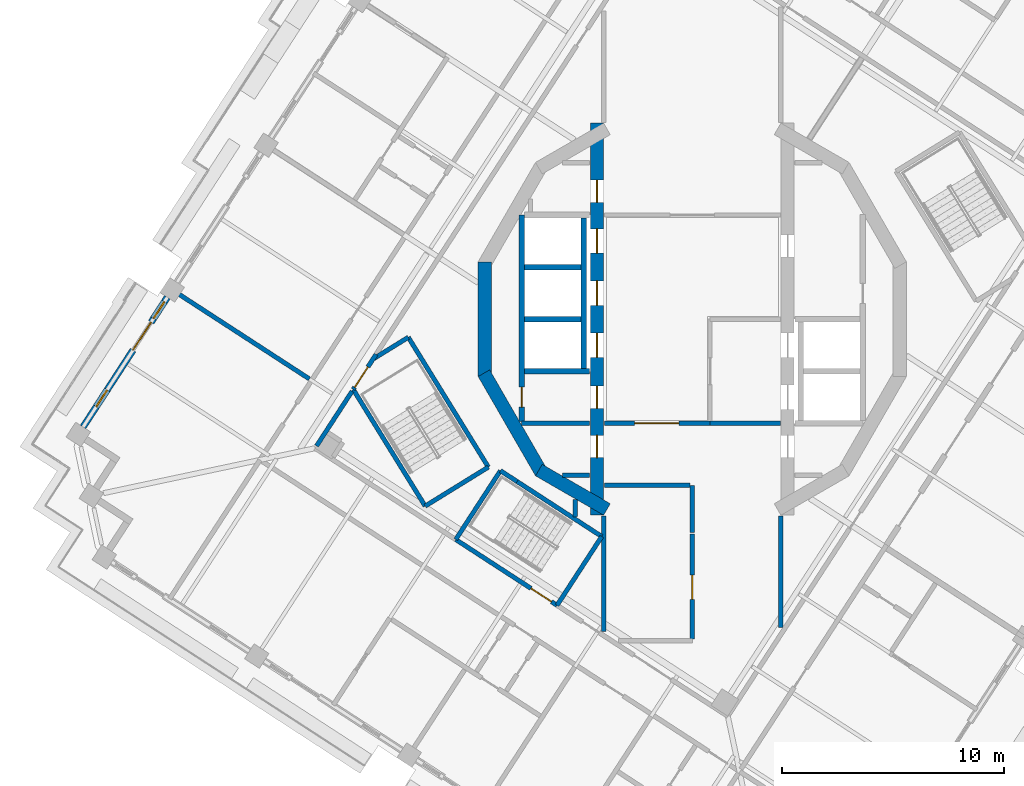
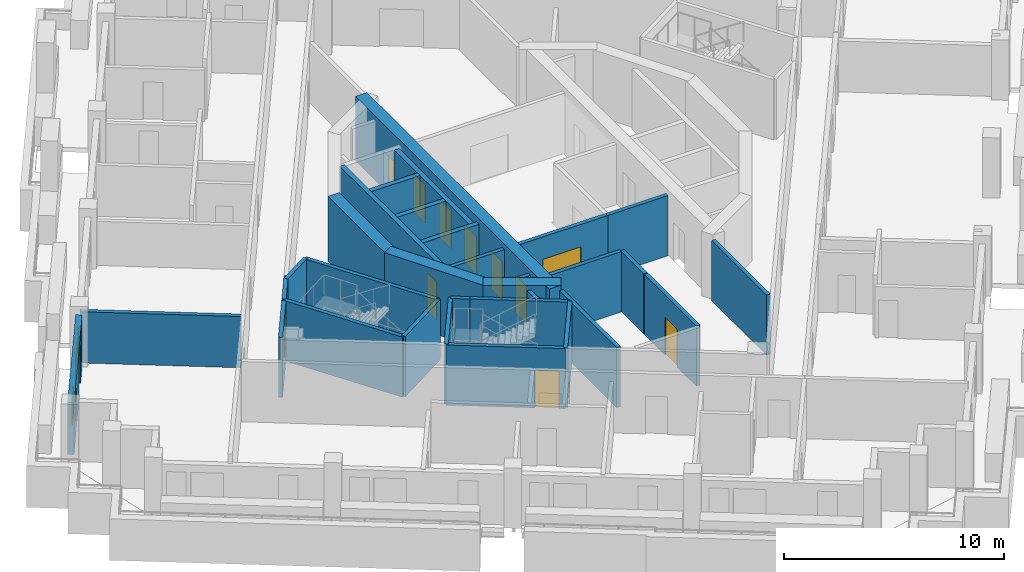
# One storey, part 5 of 15: 32 walls, 12 doors, 2 windows, 14 openings.
"""IFC4 building model written with IfcOpenShell, lengths in metres."""

import ifcopenshell
import ifcopenshell.guid

model = None  # the IFC model being written
_history = None  # IfcOwnerHistory: only IFC2X3 demands one
_inside = {}  # id of a spatial element -> (the spatial element, [elements in it])
_under = {}  # id of a project, library or spatial element -> (it, [spatial elements below it])
_declared = {}  # id of a project -> (the project, [libraries it declares])
_typed = {}  # id of a type object -> (the type object, [elements of that type])
_made_of = {}  # id of a material, layer set ... -> (it, [elements and type objects made of it])


def new_model(schema):
    """Start an empty IFC model of exactly this schema.

    Asked for "IFC4X3", IfcOpenShell would pick the latest addendum, in which some entities
    have other attributes; the version numbers below select the first issue.
    IFC2X3 requires an IfcOwnerHistory on every rooted entity: one is made here for all.
    """
    global model, _history
    if schema == "IFC4X3":
        model = ifcopenshell.file(schema_version=(4, 3, 0, 0))
    else:
        model = ifcopenshell.file(schema=schema)
    _inside.clear()
    _under.clear()
    _declared.clear()
    _typed.clear()
    _made_of.clear()
    _history = None
    if model.schema == "IFC2X3":
        org = make("IfcOrganization", Name="unknown")
        user = make(
            "IfcPersonAndOrganization",
            ThePerson=make("IfcPerson", FamilyName="unknown"),
            TheOrganization=org,
        )
        app = make(
            "IfcApplication",
            ApplicationDeveloper=org,
            Version="unknown",
            ApplicationFullName="unknown",
            ApplicationIdentifier="unknown",
        )
        _history = make(
            "IfcOwnerHistory",
            OwningUser=user,
            OwningApplication=app,
            ChangeAction="ADDED",
            CreationDate=0,
        )
    return model


def make(cls, **values):
    """One entity of the class cls with the attributes given. An attribute that is None is left unset."""
    return model.create_entity(
        cls, **{name: value for name, value in values.items() if value is not None}
    )


def rooted(cls, **values):
    """An entity with a GlobalId (a new one), such as an element, a storey or a relation."""
    return make(cls, GlobalId=ifcopenshell.guid.new(), OwnerHistory=_history, **values)


def si_unit(unit_type, name, prefix=None):
    """IfcSIUnit, for example si_unit("LENGTHUNIT", "METRE", prefix="MILLI")."""
    return make("IfcSIUnit", UnitType=unit_type, Prefix=prefix, Name=name)


def assignment(units):
    """IfcUnitAssignment: the units of a project."""
    return None if units is None else make("IfcUnitAssignment", Units=units)


def point(xyz):
    """IfcCartesianPoint."""
    return None if xyz is None else make("IfcCartesianPoint", Coordinates=xyz)


def direction(xyz):
    """IfcDirection."""
    return None if xyz is None else make("IfcDirection", DirectionRatios=xyz)


def frame(location, z_axis=None, x_axis=None):
    """IfcAxis2Placement3D, a coordinate frame: its origin and axes. An axis left out is left unset."""
    return make(
        "IfcAxis2Placement3D",
        Location=point(location),
        Axis=direction(z_axis),
        RefDirection=direction(x_axis),
    )


def frame_2d(location, x_axis=None):
    """IfcAxis2Placement2D, a coordinate frame in the plane: its origin and x axis."""
    return make(
        "IfcAxis2Placement2D", Location=point(location), RefDirection=direction(x_axis)
    )


def origin():
    """The frame at (0, 0, 0) with its axes left unset."""
    return frame((0.0, 0.0, 0.0))


def place(relative_to, where):
    """IfcLocalPlacement: puts the frame where relative to a parent placement (None: the world)."""
    return make(
        "IfcLocalPlacement", PlacementRelTo=relative_to, RelativePlacement=where
    )


def context(
    kind, dimensions, precision=None, world=None, true_north=None, identifier=None
):
    """IfcGeometricRepresentationContext, for example the 3D "Model" context."""
    return make(
        "IfcGeometricRepresentationContext",
        ContextIdentifier=identifier,
        ContextType=kind,
        CoordinateSpaceDimension=dimensions,
        Precision=precision,
        WorldCoordinateSystem=world,
        TrueNorth=true_north,
    )


def subcontext(parent, identifier, kind, view, scale=None):
    """IfcGeometricRepresentationSubContext, for example "Body" below "Model"."""
    return make(
        "IfcGeometricRepresentationSubContext",
        ContextIdentifier=identifier,
        ContextType=kind,
        ParentContext=parent,
        TargetScale=scale,
        TargetView=view,
    )


def project(units=None, contexts=None):
    """IfcProject with its units and contexts."""
    return rooted(
        "IfcProject",
        Name="project",
        RepresentationContexts=contexts,
        UnitsInContext=assignment(units),
    )


def spatial(cls, under=None, at=None, **own):
    """A site, building, storey or space (cls), placed at a placement, below another one or the project."""
    s = rooted(cls, ObjectPlacement=at, **own)
    if under is not None:
        _under.setdefault(under.id(), (under, []))[1].append(s)
    return s


def profile(cls, at=None, kind="AREA", **sizes):
    """A parametric profile (cls). Its sizes go by their IFC names, for example OverallWidth=200.0."""
    return make(cls, ProfileType=kind, Position=at, **sizes)


def rectangle(**sizes):
    """IfcRectangleProfileDef."""
    return profile("IfcRectangleProfileDef", **sizes)


def extrude(swept, where, along, depth):
    """IfcExtrudedAreaSolid: the profile swept, set in the frame where, extruded along a direction by depth."""
    return make(
        "IfcExtrudedAreaSolid",
        SweptArea=swept,
        Position=where,
        ExtrudedDirection=direction(along),
        Depth=depth,
    )


def shape(context_of_items, identifier, shape_type, items):
    """IfcShapeRepresentation: the items that make up one representation, for example the "Body"."""
    return make(
        "IfcShapeRepresentation",
        ContextOfItems=context_of_items,
        RepresentationIdentifier=identifier,
        RepresentationType=shape_type,
        Items=items,
    )


def material(Name=None, Category=None):
    """IfcMaterial."""
    return make("IfcMaterial", Name=Name, Category=Category)


def layer(
    of_material, thickness, ventilated=None, Name=None, Category=None, Priority=None
):
    """IfcMaterialLayer: one layer of a wall or slab, of a material (None: an air gap)."""
    return make(
        "IfcMaterialLayer",
        Material=of_material,
        LayerThickness=thickness,
        IsVentilated=ventilated,
        Name=Name,
        Category=Category,
        Priority=Priority,
    )


def layer_set(layers, Name=None):
    """IfcMaterialLayerSet."""
    return make("IfcMaterialLayerSet", MaterialLayers=layers, LayerSetName=Name)


def made_of(thing, what):
    """Note that an element or type object is made of a material, layer set ...; save() writes the relation."""
    if what is not None:
        _made_of.setdefault(what.id(), (what, []))[1].append(thing)
    return thing


def type_object(cls, material=None, **own):
    """A type object (cls), such as IfcWallType, which elements share."""
    return made_of(rooted(cls, **own), material)


def element(
    cls,
    number,
    at=None,
    inside=None,
    cuts=None,
    type_object=None,
    material=None,
    context=None,
    identifier="Body",
    shape_type=None,
    held_by="IfcProductDefinitionShape",
    body=None,
    shapes=None,
    **own,
):
    """One element of the class cls, such as IfcWall. Its Tag is "e" and its number.

    at: its placement. inside: the storey or other place that contains it. cuts: it is an
    opening in that element (IfcRelVoidsElement). A single representation is given by context,
    identifier, shape_type and body (its items); several are given by shapes. held_by: the class
    of the entity that holds the representations. save() writes the other relations.
    """
    e = rooted(cls, Tag="e%d" % number, ObjectPlacement=at, **own)
    if body is not None:
        shapes = [shape(context, identifier, shape_type, body)]
    if shapes is not None:
        e.Representation = make(held_by, Representations=shapes)
    if inside is not None:
        _inside.setdefault(inside.id(), (inside, []))[1].append(e)
    if cuts is not None:
        rooted(
            "IfcRelVoidsElement", RelatingBuildingElement=cuts, RelatedOpeningElement=e
        )
    if type_object is not None:
        _typed.setdefault(type_object.id(), (type_object, []))[1].append(e)
    return made_of(e, material)


def fill(opening, filler):
    """IfcRelFillsElement: the door or window that sits in an opening."""
    return rooted(
        "IfcRelFillsElement",
        RelatingOpeningElement=opening,
        RelatedBuildingElement=filler,
    )


def aggregate(whole, parts):
    """IfcRelAggregates: a whole, such as a stair, and the parts it consists of."""
    return rooted("IfcRelAggregates", RelatingObject=whole, RelatedObjects=parts)


def save(model, path):
    """Write the relations noted so far, then the file.

    IfcRelAggregates (storeys below a building ...), IfcRelContainedInSpatialStructure (elements
    in a storey), IfcRelDefinesByType, IfcRelAssociatesMaterial and IfcRelDeclares: one each for
    every whole, place, type object, material and project.
    """
    for whole, parts in _under.values():
        aggregate(whole, parts)
    for where, things in _inside.values():
        rooted(
            "IfcRelContainedInSpatialStructure",
            RelatedElements=things,
            RelatingStructure=where,
        )
    for kind, things in _typed.values():
        rooted("IfcRelDefinesByType", RelatedObjects=things, RelatingType=kind)
    for what, things in _made_of.values():
        rooted("IfcRelAssociatesMaterial", RelatedObjects=things, RelatingMaterial=what)
    for by, libraries in _declared.values():
        rooted("IfcRelDeclares", RelatingContext=by, RelatedDefinitions=libraries)
    model.write(path)


model = new_model("IFC4")

# Units and contexts
model_context = context("Model", 3, precision=1e-05, world=origin(), true_north=direction((0.0, 1.0)))
body_context = subcontext(model_context, "Body", "Model", "MODEL_VIEW")
ifc_project = project(units=[si_unit("LENGTHUNIT", "METRE"), si_unit("AREAUNIT", "SQUARE_METRE"), si_unit("VOLUMEUNIT", "CUBIC_METRE"), si_unit("PLANEANGLEUNIT", "RADIAN"), si_unit("MASSUNIT", "GRAM", prefix="KILO")], contexts=[model_context])

# Site, building, storey
site_placement = place(None, origin())
site = spatial("IfcSite", under=ifc_project, at=site_placement, CompositionType="ELEMENT")
building_placement = place(site_placement, origin())
building = spatial("IfcBuilding", under=site, at=building_placement, Name="Cantera Rosa Tower", CompositionType="ELEMENT")
storey_placement = place(building_placement, frame((0.0, 0.0, 261.300048828125)))
storey = spatial("IfcBuildingStorey", under=building, at=storey_placement, Name="L58", CompositionType="ELEMENT", Elevation=261.300048828125)

# Wall
ifc_material_1 = material(Name="Gypsum board partition")
ifc_layer_1 = layer(ifc_material_1, 0.199951171875)
ifc_layer_set_1 = layer_set([ifc_layer_1], Name="CORRIDOR WALL 200 H3350")
wall_type_1 = type_object("IfcWallType", Name="CORRIDOR WALL 200 H3350", PredefinedType="PARTITIONING", material=ifc_layer_set_1)
wall_1_placement = place(storey_placement, frame((-15.349853515625, -3.256103515625, 0.0), z_axis=(0.0, 0.0, 1.0), x_axis=(-0.544576607641, -0.838711105453, 0.0)))
element("IfcWall", 1, at=wall_1_placement, inside=storey, type_object=wall_type_1, Name="CORRIDOR WALL L58-009", PredefinedType="PARTITIONING", context=body_context, shape_type="SweptSolid", body=[
    extrude(rectangle(XDim=2.939208984375, YDim=0.199951171875, at=frame_2d((1.4697265625, 0.0))), origin(), (0.0, 0.0, 1.0), 3.349853515625),
])

# Wall, opening, door
wall_2_placement = place(storey_placement, frame((0.0, -14.419921875, 0.0), z_axis=(0.0, 0.0, 1.0), x_axis=(0.0, 1.0, 0.0)))
wall_2 = element("IfcWall", 2, at=wall_2_placement, inside=storey, type_object=wall_type_1, Name="CORRIDOR WALL L58-057", PredefinedType="PARTITIONING", context=body_context, shape_type="SweptSolid", body=[
    extrude(rectangle(XDim=4.730712890625, YDim=0.199951171875, at=frame_2d((2.365234375, 0.0))), origin(), (0.0, 0.0, 1.0), 3.349853515625),
])
opening_1_placement = place(wall_2_placement, frame((1.775390625, 0.0, 0.0)))
opening_1 = element("IfcOpeningElement", 3, at=opening_1_placement, cuts=wall_2, Name="Opening L58-013", PredefinedType="OPENING", context=body_context, shape_type="SweptSolid", body=[
    extrude(rectangle(XDim=1.10009765625, YDim=2.10009765625, at=frame_2d((0.550048828125, 1.050048828125))), frame((0.0, 0.10986328125, 0.0), z_axis=(0.0, -1.0, 0.0), x_axis=(1.0, 0.0, 0.0)), (0.0, 0.0, 1.0), 0.219970703125),
])
ifc_material_2 = material(Name="Timber door leaf", Category="wood")
door_type_1 = type_object("IfcDoorType", Name="ROOM DOOR 1100x2100", OperationType="NOTDEFINED", PredefinedType="DOOR", material=ifc_material_2)
door_1_placement = place(opening_1_placement, origin())
door_1 = element("IfcDoor", 4, at=door_1_placement, inside=storey, type_object=door_type_1, Name="DOOR L58-013", OperationType="NOTDEFINED", OverallHeight=2.10009765625, OverallWidth=1.10009765625, PredefinedType="DOOR", context=body_context, shape_type="SweptSolid", body=[
    extrude(rectangle(XDim=1.10009765625, YDim=2.10009765625, at=frame_2d((0.550048828125, 1.050048828125))), frame((0.0, 0.02490234375, 0.0), z_axis=(0.0, -1.0, 0.0), x_axis=(1.0, 0.0, 0.0)), (0.0, 0.0, 1.0), 0.050048828125),
])
fill(opening_1, door_1)

# Walls
wall_3_placement = place(storey_placement, frame((0.0, -9.62939453125, 0.0), z_axis=(0.0, 0.0, 1.0), x_axis=(0.0, 1.0, 0.0)))
element("IfcWall", 5, at=wall_3_placement, inside=storey, type_object=wall_type_1, Name="CORRIDOR WALL L58-058", PredefinedType="PARTITIONING", context=body_context, shape_type="SweptSolid", body=[
    extrude(rectangle(XDim=2.12939453125, YDim=0.199951171875, at=frame_2d((1.064697265625, 0.0))), origin(), (0.0, 0.0, 1.0), 3.349853515625),
])
wall_4_placement = place(storey_placement, frame((-0.10009765625, -7.5, 0.0), z_axis=(0.0, 0.0, 1.0), x_axis=(-1.0, 0.0, 0.0)))
element("IfcWall", 6, at=wall_4_placement, inside=storey, type_object=wall_type_1, Name="CORRIDOR WALL L58-059", PredefinedType="PARTITIONING", context=body_context, shape_type="SweptSolid", body=[
    extrude(rectangle(XDim=3.869873046875, YDim=0.199951171875, at=frame_2d((1.93505859375, 0.0))), origin(), (0.0, 0.0, 1.0), 3.349853515625),
])

# Wall, opening, door
wall_5_placement = place(storey_placement, frame((0.800048828125, -4.699951171875, 0.0), z_axis=(0.0, 0.0, 1.0), x_axis=(-1.0, 0.0, 0.0)))
wall_5 = element("IfcWall", 7, at=wall_5_placement, inside=storey, type_object=wall_type_1, Name="CORRIDOR WALL L58-061", PredefinedType="PARTITIONING", context=body_context, shape_type="SweptSolid", body=[
    extrude(rectangle(XDim=4.77001953125, YDim=0.199951171875, at=frame_2d((2.385009765625, 0.0))), origin(), (0.0, 0.0, 1.0), 3.349853515625),
])
opening_2_placement = place(wall_5_placement, frame((1.39990234375, 0.0, 0.0)))
opening_2 = element("IfcOpeningElement", 8, at=opening_2_placement, cuts=wall_5, Name="Opening L58-011", PredefinedType="OPENING", context=body_context, shape_type="SweptSolid", body=[
    extrude(rectangle(XDim=2.0, YDim=2.10009765625, at=frame_2d((1.0, 1.050048828125))), frame((0.0, 0.10986328125, 0.0), z_axis=(0.0, -1.0, 0.0), x_axis=(1.0, 0.0, 0.0)), (0.0, 0.0, 1.0), 0.219970703125),
])
ifc_material_3 = material(Name="Steel S355J2 (EN 10025-2)", Category="steel")
door_type_2 = type_object("IfcDoorType", Name="LOBBY SCREEN DOOR 2000x2100", OperationType="NOTDEFINED", PredefinedType="DOOR", material=ifc_material_3)
door_2_placement = place(opening_2_placement, origin())
door_2 = element("IfcDoor", 9, at=door_2_placement, inside=storey, type_object=door_type_2, Name="DOOR L58-011", OperationType="NOTDEFINED", OverallHeight=2.10009765625, OverallWidth=2.0, PredefinedType="DOOR", context=body_context, shape_type="SweptSolid", body=[
    extrude(rectangle(XDim=2.0, YDim=2.10009765625, at=frame_2d((1.0, 1.050048828125))), frame((0.0, 0.02490234375, 0.0), z_axis=(0.0, -1.0, 0.0), x_axis=(1.0, 0.0, 0.0)), (0.0, 0.0, 1.0), 0.050048828125),
])
fill(opening_2, door_2)

# Wall
wall_6_placement = place(storey_placement, frame((4.0, -13.90087890625, 0.0), z_axis=(0.0, 0.0, 1.0), x_axis=(0.0, 1.0, 0.0)))
element("IfcWall", 10, at=wall_6_placement, inside=storey, type_object=wall_type_1, Name="CORRIDOR WALL L58-068", PredefinedType="PARTITIONING", context=body_context, shape_type="SweptSolid", body=[
    extrude(rectangle(XDim=5.02197265625, YDim=0.199951171875, at=frame_2d((2.510986328125, 0.0))), origin(), (0.0, 0.0, 1.0), 3.349853515625),
])

# Wall, openings, windows, door
ifc_material_4 = material(Name="Hollow clay masonry with cantera stone cladding", Category="masonry")
ifc_layer_2 = layer(ifc_material_4, 0.300048828125)
ifc_layer_set_2 = layer_set([ifc_layer_2], Name="EW-LOGGIA 300 H2890")
wall_type_2 = type_object("IfcWallType", Name="EW-LOGGIA 300 H2890", PredefinedType="SOLIDWALL", material=ifc_layer_set_2)
wall_7_placement = place(storey_placement, frame((-23.6826171875, 0.98779296875, 0.0), z_axis=(0.0, 0.0, 1.0), x_axis=(-0.544667428764, -0.838652128146, 0.0)))
wall_7 = element("IfcWall", 11, at=wall_7_placement, inside=storey, type_object=wall_type_2, Name="EN-L58-W11", PredefinedType="SOLIDWALL", context=body_context, shape_type="SweptSolid", body=[
    extrude(rectangle(XDim=6.97998046875, YDim=0.300048828125, at=frame_2d((3.489990234375, 0.0))), origin(), (0.0, 0.0, 1.0), 2.889892578125),
])
opening_3_placement = place(wall_7_placement, frame((0.2451171875, 0.0, 0.89990234375)))
opening_3 = element("IfcOpeningElement", 12, at=opening_3_placement, cuts=wall_7, Name="Opening L58-W25", PredefinedType="OPENING", context=body_context, shape_type="SweptSolid", body=[
    extrude(rectangle(XDim=0.89990234375, YDim=1.5, at=frame_2d((0.449951171875, 0.75))), frame((0.0, 0.159912109375, 0.0), z_axis=(0.0, -1.0, 0.0), x_axis=(1.0, 0.0, 0.0)), (0.0, 0.0, 1.0), 0.320068359375),
])
opening_4_placement = place(wall_7_placement, frame((1.344970703125, 0.0, 0.0)))
opening_4 = element("IfcOpeningElement", 13, at=opening_4_placement, cuts=wall_7, Name="Opening L58-TD26", PredefinedType="OPENING", context=body_context, shape_type="SweptSolid", body=[
    extrude(rectangle(XDim=1.5, YDim=2.39990234375, at=frame_2d((0.75, 1.199951171875))), frame((0.0, 0.159912109375, 0.0), z_axis=(0.0, -1.0, 0.0), x_axis=(1.0, 0.0, 0.0)), (0.0, 0.0, 1.0), 0.320068359375),
])
opening_5_placement = place(wall_7_placement, frame((4.985107421875, 0.0, 0.89990234375)))
opening_5 = element("IfcOpeningElement", 14, at=opening_5_placement, cuts=wall_7, Name="Opening L58-W27", PredefinedType="OPENING", context=body_context, shape_type="SweptSolid", body=[
    extrude(rectangle(XDim=0.89990234375, YDim=1.5, at=frame_2d((0.449951171875, 0.75))), frame((0.0, 0.159912109375, 0.0), z_axis=(0.0, -1.0, 0.0), x_axis=(1.0, 0.0, 0.0)), (0.0, 0.0, 1.0), 0.320068359375),
])
ifc_material_5 = material(Name="Aluminium frame with clear glass", Category="aluminium")
window_type = type_object("IfcWindowType", Name="Residential window 900x1500", PartitioningType="SINGLE_PANEL", PredefinedType="WINDOW", material=ifc_material_5)
window_1_placement = place(opening_3_placement, origin())
window_1 = element("IfcWindow", 15, at=window_1_placement, inside=storey, type_object=window_type, Name="WINDOW L58-W25", OverallHeight=1.5, OverallWidth=0.89990234375, PartitioningType="SINGLE_PANEL", PredefinedType="WINDOW", context=body_context, shape_type="SweptSolid", body=[
    extrude(rectangle(XDim=0.89990234375, YDim=1.5, at=frame_2d((0.449951171875, 0.75))), frame((0.0, 0.030029296875, 0.0), z_axis=(0.0, -1.0, 0.0), x_axis=(1.0, 0.0, 0.0)), (0.0, 0.0, 1.0), 0.06005859375),
])
fill(opening_3, window_1)
window_2_placement = place(opening_5_placement, origin())
window_2 = element("IfcWindow", 16, at=window_2_placement, inside=storey, type_object=window_type, Name="WINDOW L58-W27", OverallHeight=1.5, OverallWidth=0.89990234375, PartitioningType="SINGLE_PANEL", PredefinedType="WINDOW", context=body_context, shape_type="SweptSolid", body=[
    extrude(rectangle(XDim=0.89990234375, YDim=1.5, at=frame_2d((0.449951171875, 0.75))), frame((0.0, 0.030029296875, 0.0), z_axis=(0.0, -1.0, 0.0), x_axis=(1.0, 0.0, 0.0)), (0.0, 0.0, 1.0), 0.06005859375),
])
fill(opening_5, window_2)
ifc_material_6 = material(Name="Aluminium frame with clear glass", Category="aluminium")
door_type_3 = type_object("IfcDoorType", Name="TD-R 1500x2400", OperationType="NOTDEFINED", PredefinedType="DOOR", material=ifc_material_6)
door_3_placement = place(opening_4_placement, origin())
door_3 = element("IfcDoor", 17, at=door_3_placement, inside=storey, type_object=door_type_3, Name="LOGGIA DOOR L58-TD26", OperationType="SLIDING_TO_LEFT", OverallHeight=2.39990234375, OverallWidth=1.5, PredefinedType="DOOR", context=body_context, shape_type="SweptSolid", body=[
    extrude(rectangle(XDim=1.5, YDim=2.39990234375, at=frame_2d((0.75, 1.199951171875))), frame((0.0, 0.02490234375, 0.0), z_axis=(0.0, -1.0, 0.0), x_axis=(1.0, 0.0, 0.0)), (0.0, 0.0, 1.0), 0.050048828125),
])
fill(opening_4, door_3)

# Walls
ifc_material_7 = material(Name="Gypsum board partition")
ifc_layer_3 = layer(ifc_material_7, 0.199951171875)
ifc_layer_set_3 = layer_set([ifc_layer_3], Name="PARTITION 200 H2850")
wall_type_3 = type_object("IfcWallType", Name="PARTITION 200 H2850", PredefinedType="PARTITIONING", material=ifc_layer_set_3)
wall_8_placement = place(storey_placement, frame((-17.275390625, -2.696044921875, 0.0), z_axis=(0.0, 0.0, 1.0), x_axis=(-0.838684106336, 0.544618187155, 0.0)))
element("IfcWall", 18, at=wall_8_placement, inside=storey, type_object=wall_type_3, Name="PARTITION L58-003", PredefinedType="PARTITIONING", context=body_context, shape_type="SweptSolid", body=[
    extrude(rectangle(XDim=7.349853515625, YDim=0.199951171875, at=frame_2d((3.6748046875, 0.0))), origin(), (0.0, 0.0, 1.0), 2.849853515625),
])
ifc_material_8 = material(Name="Gypsum board partition")
ifc_layer_4 = layer(ifc_material_8, 0.199951171875)
ifc_layer_set_4 = layer_set([ifc_layer_4], Name="PARTITION 200 H3350")
wall_type_4 = type_object("IfcWallType", Name="PARTITION 200 H3350", PredefinedType="PARTITIONING", material=ifc_layer_set_4)
wall_9_placement = place(storey_placement, frame((-7.699951171875, -4.699951171875, 0.0), z_axis=(0.0, 0.0, 1.0), x_axis=(1.0, 0.0, 0.0)))
element("IfcWall", 19, at=wall_9_placement, inside=storey, type_object=wall_type_4, Name="PARTITION L58-030", PredefinedType="PARTITIONING", context=body_context, shape_type="SweptSolid", body=[
    extrude(rectangle(XDim=3.070068359375, YDim=0.199951171875, at=frame_2d((1.53515625, 0.0))), origin(), (0.0, 0.0, 1.0), 3.349853515625),
])
wall_10_placement = place(storey_placement, frame((-5.284423828125, -8.13720703125, 0.0), z_axis=(0.0, 0.0, 1.0), x_axis=(0.017568671761, -0.999845658976, 0.0)))
element("IfcWall", 20, at=wall_10_placement, inside=storey, type_object=wall_type_4, Name="PARTITION L58-041", PredefinedType="PARTITIONING", context=body_context, shape_type="SweptSolid", body=[
    extrude(rectangle(XDim=0.778076171875, YDim=0.199951171875, at=frame_2d((0.38916015625, 0.0))), origin(), (0.0, 0.0, 1.0), 3.349853515625),
])
wall_11_placement = place(storey_placement, frame((-4.6298828125, -7.050048828125, 0.0), z_axis=(0.0, 0.0, 1.0), x_axis=(-1.0, 0.0, 0.0)))
element("IfcWall", 21, at=wall_11_placement, inside=storey, type_object=wall_type_4, Name="PARTITION L58-044", PredefinedType="PARTITIONING", context=body_context, shape_type="SweptSolid", body=[
    extrude(rectangle(XDim=1.2177734375, YDim=0.199951171875, at=frame_2d((0.60888671875, 0.0))), origin(), (0.0, 0.0, 1.0), 3.349853515625),
])
wall_12_placement = place(storey_placement, frame((-4.0, -14.09423828125, 0.0), z_axis=(0.0, 0.0, 1.0), x_axis=(0.0, 1.0, 0.0)))
element("IfcWall", 22, at=wall_12_placement, inside=storey, type_object=wall_type_4, Name="PARTITION L58-046", PredefinedType="PARTITIONING", context=body_context, shape_type="SweptSolid", body=[
    extrude(rectangle(XDim=5.21533203125, YDim=0.199951171875, at=frame_2d((2.607666015625, 0.0))), origin(), (0.0, 0.0, 1.0), 3.349853515625),
])
ifc_material_9 = material(Name="Concrete C50/60", Category="concrete")
ifc_layer_5 = layer(ifc_material_9, 0.60009765625)
ifc_layer_set_5 = layer_set([ifc_layer_5], Name="RC CORE WALL 600 C50/60")
wall_type_5 = type_object("IfcWallType", Name="RC CORE WALL 600 C50/60", PredefinedType="SHEAR", material=ifc_layer_set_5)
wall_13_placement = place(storey_placement, frame((-3.85009765625, -8.584228515625, 0.0), z_axis=(0.0, 0.0, 1.0), x_axis=(-0.866039982607, 0.499974747889, 0.0)))
element("IfcWall", 23, at=wall_13_placement, inside=storey, type_object=wall_type_5, Name="CW-W1 L58", PredefinedType="SHEAR", context=body_context, shape_type="SweptSolid", body=[
    extrude(rectangle(XDim=3.546142578125, YDim=0.60009765625, at=frame_2d((1.77294921875, 0.0))), origin(), (0.0, 0.0, 1.0), 3.599853515625),
])
for number, where, z_axis, x_axis, name in (
    (24, (-6.811279296875, -6.921142578125, 0.0), (0.0, 0.0, 1.0), (-0.499989188378, 0.866031645787, 0.0), "CW-W2 L58"),
    (25, (-9.359375, -2.588134765625, 0.0), (0.0, 0.0, 1.0), (0.0, 1.0, 0.0), "CW-W3 L58"),
):
    element("IfcWall", number, at=place(storey_placement, frame(where, z_axis=z_axis, x_axis=x_axis)), inside=storey, type_object=wall_type_5, Name=name, PredefinedType="SHEAR", context=body_context, shape_type="SweptSolid", body=[
        extrude(rectangle(XDim=5.17626953125, YDim=0.60009765625, at=frame_2d((2.588134765625, 0.0))), origin(), (0.0, 0.0, 1.0), 3.599853515625),
    ])

# Wall, openings, doors
wall_14_placement = place(storey_placement, frame((-4.300048828125, 8.84423828125, 0.0), z_axis=(0.0, 0.0, 1.0), x_axis=(0.0, -1.0, 0.0)))
wall_14 = element("IfcWall", 26, at=wall_14_placement, inside=storey, type_object=wall_type_5, Name="CW-W6 L58", PredefinedType="SHEAR", context=body_context, shape_type="SweptSolid", body=[
    extrude(rectangle(XDim=17.6884765625, YDim=0.60009765625, at=frame_2d((8.84423828125, 0.0))), origin(), (0.0, 0.0, 1.0), 3.599853515625),
])
opening_6_placement = place(wall_14_placement, frame((9.468994140625, 0.0, 0.0)))
opening_6 = element("IfcOpeningElement", 27, at=opening_6_placement, cuts=wall_14, Name="Opening LD-H1-L58", PredefinedType="OPENING", context=body_context, shape_type="SweptSolid", body=[
    extrude(rectangle(XDim=1.10009765625, YDim=2.10009765625, at=frame_2d((0.550048828125, 1.050048828125))), frame((0.0, 0.31005859375, 0.0), z_axis=(0.0, -1.0, 0.0), x_axis=(1.0, 0.0, 0.0)), (0.0, 0.0, 1.0), 0.6201171875),
])
opening_7_placement = place(wall_14_placement, frame((7.119140625, 0.0, 0.0)))
opening_7 = element("IfcOpeningElement", 28, at=opening_7_placement, cuts=wall_14, Name="Opening LD-H2-L58", PredefinedType="OPENING", context=body_context, shape_type="SweptSolid", body=[
    extrude(rectangle(XDim=1.10009765625, YDim=2.10009765625, at=frame_2d((0.550048828125, 1.050048828125))), frame((0.0, 0.31005859375, 0.0), z_axis=(0.0, -1.0, 0.0), x_axis=(1.0, 0.0, 0.0)), (0.0, 0.0, 1.0), 0.6201171875),
])
opening_8_placement = place(wall_14_placement, frame((4.76904296875, 0.0, 0.0)))
opening_8 = element("IfcOpeningElement", 29, at=opening_8_placement, cuts=wall_14, Name="Opening LD-H3-L58", PredefinedType="OPENING", context=body_context, shape_type="SweptSolid", body=[
    extrude(rectangle(XDim=1.10009765625, YDim=2.10009765625, at=frame_2d((0.550048828125, 1.050048828125))), frame((0.0, 0.31005859375, 0.0), z_axis=(0.0, -1.0, 0.0), x_axis=(1.0, 0.0, 0.0)), (0.0, 0.0, 1.0), 0.6201171875),
])
opening_9_placement = place(wall_14_placement, frame((14.091552734375, 0.0, 0.0)))
opening_9 = element("IfcOpeningElement", 30, at=opening_9_placement, cuts=wall_14, Name="Opening SD-L58-14", PredefinedType="OPENING", context=body_context, shape_type="SweptSolid", body=[
    extrude(rectangle(XDim=1.0, YDim=2.10009765625, at=frame_2d((0.5, 1.050048828125))), frame((0.0, 0.31005859375, 0.0), z_axis=(0.0, -1.0, 0.0), x_axis=(1.0, 0.0, 0.0)), (0.0, 0.0, 1.0), 0.6201171875),
])
opening_10_placement = place(wall_14_placement, frame((2.572265625, 0.0, 0.0)))
opening_10 = element("IfcOpeningElement", 31, at=opening_10_placement, cuts=wall_14, Name="Opening SD-L58-15", PredefinedType="OPENING", context=body_context, shape_type="SweptSolid", body=[
    extrude(rectangle(XDim=1.0, YDim=2.10009765625, at=frame_2d((0.5, 1.050048828125))), frame((0.0, 0.31005859375, 0.0), z_axis=(0.0, -1.0, 0.0), x_axis=(1.0, 0.0, 0.0)), (0.0, 0.0, 1.0), 0.6201171875),
])
opening_11_placement = place(wall_14_placement, frame((11.869140625, 0.0, 0.0)))
opening_11 = element("IfcOpeningElement", 32, at=opening_11_placement, cuts=wall_14, Name="Opening SD-L58-16", PredefinedType="OPENING", context=body_context, shape_type="SweptSolid", body=[
    extrude(rectangle(XDim=1.0, YDim=2.10009765625, at=frame_2d((0.5, 1.050048828125))), frame((0.0, 0.31005859375, 0.0), z_axis=(0.0, -1.0, 0.0), x_axis=(1.0, 0.0, 0.0)), (0.0, 0.0, 1.0), 0.6201171875),
])
ifc_material_10 = material(Name="Steel S355J2 (EN 10025-2)", Category="steel")
door_type_4 = type_object("IfcDoorType", Name="LANDING DOOR 1100x2100", OperationType="NOTDEFINED", PredefinedType="DOOR", material=ifc_material_10)
door_4_placement = place(opening_6_placement, origin())
door_4 = element("IfcDoor", 33, at=door_4_placement, inside=storey, type_object=door_type_4, Name="LANDING DOOR H1 L58", OperationType="SLIDING_TO_LEFT", OverallHeight=2.10009765625, OverallWidth=1.10009765625, PredefinedType="DOOR", context=body_context, shape_type="SweptSolid", body=[
    extrude(rectangle(XDim=1.10009765625, YDim=2.10009765625, at=frame_2d((0.550048828125, 1.050048828125))), frame((0.0, 0.02490234375, 0.0), z_axis=(0.0, -1.0, 0.0), x_axis=(1.0, 0.0, 0.0)), (0.0, 0.0, 1.0), 0.050048828125),
])
fill(opening_6, door_4)
door_5_placement = place(opening_7_placement, origin())
door_5 = element("IfcDoor", 34, at=door_5_placement, inside=storey, type_object=door_type_4, Name="LANDING DOOR H2 L58", OperationType="SLIDING_TO_LEFT", OverallHeight=2.10009765625, OverallWidth=1.10009765625, PredefinedType="DOOR", context=body_context, shape_type="SweptSolid", body=[
    extrude(rectangle(XDim=1.10009765625, YDim=2.10009765625, at=frame_2d((0.550048828125, 1.050048828125))), frame((0.0, 0.02490234375, 0.0), z_axis=(0.0, -1.0, 0.0), x_axis=(1.0, 0.0, 0.0)), (0.0, 0.0, 1.0), 0.050048828125),
])
fill(opening_7, door_5)
door_6_placement = place(opening_8_placement, origin())
door_6 = element("IfcDoor", 35, at=door_6_placement, inside=storey, type_object=door_type_4, Name="LANDING DOOR H3 L58", OperationType="SLIDING_TO_LEFT", OverallHeight=2.10009765625, OverallWidth=1.10009765625, PredefinedType="DOOR", context=body_context, shape_type="SweptSolid", body=[
    extrude(rectangle(XDim=1.10009765625, YDim=2.10009765625, at=frame_2d((0.550048828125, 1.050048828125))), frame((0.0, 0.02490234375, 0.0), z_axis=(0.0, -1.0, 0.0), x_axis=(1.0, 0.0, 0.0)), (0.0, 0.0, 1.0), 0.050048828125),
])
fill(opening_8, door_6)
ifc_material_11 = material(Name="Timber door leaf", Category="wood")
door_type_5 = type_object("IfcDoorType", Name="SERVICE DOOR 1000x2100", OperationType="NOTDEFINED", PredefinedType="DOOR", material=ifc_material_11)
door_7_placement = place(opening_9_placement, origin())
door_7 = element("IfcDoor", 36, at=door_7_placement, inside=storey, type_object=door_type_5, Name="DOOR L58-SD14", OperationType="NOTDEFINED", OverallHeight=2.10009765625, OverallWidth=1.0, PredefinedType="DOOR", context=body_context, shape_type="SweptSolid", body=[
    extrude(rectangle(XDim=1.0, YDim=2.10009765625, at=frame_2d((0.5, 1.050048828125))), frame((0.0, 0.02490234375, 0.0), z_axis=(0.0, -1.0, 0.0), x_axis=(1.0, 0.0, 0.0)), (0.0, 0.0, 1.0), 0.050048828125),
])
fill(opening_9, door_7)
door_8_placement = place(opening_10_placement, origin())
door_8 = element("IfcDoor", 37, at=door_8_placement, inside=storey, type_object=door_type_5, Name="DOOR L58-SD15", OperationType="NOTDEFINED", OverallHeight=2.10009765625, OverallWidth=1.0, PredefinedType="DOOR", context=body_context, shape_type="SweptSolid", body=[
    extrude(rectangle(XDim=1.0, YDim=2.10009765625, at=frame_2d((0.5, 1.050048828125))), frame((0.0, 0.02490234375, 0.0), z_axis=(0.0, -1.0, 0.0), x_axis=(1.0, 0.0, 0.0)), (0.0, 0.0, 1.0), 0.050048828125),
])
fill(opening_10, door_8)
door_9_placement = place(opening_11_placement, origin())
door_9 = element("IfcDoor", 38, at=door_9_placement, inside=storey, type_object=door_type_5, Name="DOOR L58-SD16", OperationType="NOTDEFINED", OverallHeight=2.10009765625, OverallWidth=1.0, PredefinedType="DOOR", context=body_context, shape_type="SweptSolid", body=[
    extrude(rectangle(XDim=1.0, YDim=2.10009765625, at=frame_2d((0.5, 1.050048828125))), frame((0.0, 0.02490234375, 0.0), z_axis=(0.0, -1.0, 0.0), x_axis=(1.0, 0.0, 0.0)), (0.0, 0.0, 1.0), 0.050048828125),
])
fill(opening_11, door_9)

# Walls
ifc_material_12 = material(Name="Masonry blockwork", Category="masonry")
ifc_layer_6 = layer(ifc_material_12, 0.25)
ifc_layer_set_6 = layer_set([ifc_layer_6], Name="SHAFT WALL 250 H3350")
wall_type_6 = type_object("IfcWallType", Name="SHAFT WALL 250 H3350", PredefinedType="SOLIDWALL", material=ifc_layer_set_6)
for number, where, z_axis, x_axis, name in (
    (39, (-7.574951171875, 0.0, 0.0), (0.0, 0.0, 1.0), (1.0, 0.0, 0.0), "SHAFT WALL L58-031"),
    (40, (-7.574951171875, 2.35009765625, 0.0), (0.0, 0.0, 1.0), (1.0, 0.0, 0.0), "SHAFT WALL L58-032"),
):
    element("IfcWall", number, at=place(storey_placement, frame(where, z_axis=z_axis, x_axis=x_axis)), inside=storey, type_object=wall_type_6, Name=name, PredefinedType="SOLIDWALL", context=body_context, shape_type="SweptSolid", body=[
        extrude(rectangle(XDim=2.554931640625, YDim=0.25, at=frame_2d((1.27734375, 0.0))), origin(), (0.0, 0.0, 1.0), 3.349853515625),
    ])

# Wall, opening, door
wall_15_placement = place(storey_placement, frame((-7.699951171875, 4.699951171875, 0.0), z_axis=(0.0, 0.0, 1.0), x_axis=(0.0, -1.0, 0.0)))
wall_15 = element("IfcWall", 41, at=wall_15_placement, inside=storey, type_object=wall_type_6, Name="SHAFT WALL L58-033", PredefinedType="SOLIDWALL", context=body_context, shape_type="SweptSolid", body=[
    extrude(rectangle(XDim=9.320068359375, YDim=0.25, at=frame_2d((4.66015625, 0.0))), origin(), (0.0, 0.0, 1.0), 3.349853515625),
])
opening_12_placement = place(wall_15_placement, frame((7.7705078125, 0.0, 0.0)))
opening_12 = element("IfcOpeningElement", 42, at=opening_12_placement, cuts=wall_15, Name="Opening L58-050", PredefinedType="OPENING", context=body_context, shape_type="SweptSolid", body=[
    extrude(rectangle(XDim=0.89990234375, YDim=2.10009765625, at=frame_2d((0.449951171875, 1.050048828125))), frame((0.0, 0.135009765625, 0.0), z_axis=(0.0, -1.0, 0.0), x_axis=(1.0, 0.0, 0.0)), (0.0, 0.0, 1.0), 0.27001953125),
])
ifc_material_13 = material(Name="Timber door leaf", Category="wood")
door_type_6 = type_object("IfcDoorType", Name="SERVICE DOOR 900x2100", OperationType="NOTDEFINED", PredefinedType="DOOR", material=ifc_material_13)
door_10_placement = place(opening_12_placement, origin())
door_10 = element("IfcDoor", 43, at=door_10_placement, inside=storey, type_object=door_type_6, Name="RISER DOOR L58-050", OperationType="NOTDEFINED", OverallHeight=2.10009765625, OverallWidth=0.89990234375, PredefinedType="DOOR", context=body_context, shape_type="SweptSolid", body=[
    extrude(rectangle(XDim=0.89990234375, YDim=2.10009765625, at=frame_2d((0.449951171875, 1.050048828125))), frame((0.0, 0.02490234375, 0.0), z_axis=(0.0, -1.0, 0.0), x_axis=(1.0, 0.0, 0.0)), (0.0, 0.0, 1.0), 0.050048828125),
])
fill(opening_12, door_10)

# Walls
wall_16_placement = place(storey_placement, frame((-4.89990234375, -2.22509765625, 0.0), z_axis=(0.0, 0.0, 1.0), x_axis=(0.0, 1.0, 0.0)))
element("IfcWall", 44, at=wall_16_placement, inside=storey, type_object=wall_type_6, Name="SHAFT WALL L58-043", PredefinedType="SOLIDWALL", context=body_context, shape_type="SweptSolid", body=[
    extrude(rectangle(XDim=6.800048828125, YDim=0.25, at=frame_2d((3.39990234375, 0.0))), origin(), (0.0, 0.0, 1.0), 3.349853515625),
])
wall_17_placement = place(storey_placement, frame((-4.6298828125, -2.35009765625, 0.0), z_axis=(0.0, 0.0, 1.0), x_axis=(-1.0, 0.0, 0.0)))
element("IfcWall", 45, at=wall_17_placement, inside=storey, type_object=wall_type_6, Name="SHAFT WALL L58-045", PredefinedType="SOLIDWALL", context=body_context, shape_type="SweptSolid", body=[
    extrude(rectangle(XDim=2.945068359375, YDim=0.25, at=frame_2d((1.47265625, 0.0))), origin(), (0.0, 0.0, 1.0), 3.349853515625),
])
ifc_material_14 = material(Name="Concrete C50/60", Category="concrete")
ifc_layer_7 = layer(ifc_material_14, 0.199951171875)
ifc_layer_set_7 = layer_set([ifc_layer_7], Name="STAIR WALL 200 H3350")
wall_type_7 = type_object("IfcWallType", Name="STAIR WALL 200 H3350", PredefinedType="SOLIDWALL", material=ifc_layer_set_7)
wall_18_placement = place(storey_placement, frame((-15.29541015625, -3.17236328125, 0.0), z_axis=(0.0, 0.0, 1.0), x_axis=(0.524983142341, -0.851112624896, 0.0)))
element("IfcWall", 46, at=wall_18_placement, inside=storey, type_object=wall_type_7, Name="STAIR WALL L58-010", PredefinedType="SOLIDWALL", context=body_context, shape_type="SweptSolid", body=[
    extrude(rectangle(XDim=6.180419921875, YDim=0.199951171875, at=frame_2d((3.09033203125, 0.0))), origin(), (0.0, 0.0, 1.0), 3.349853515625),
])

# Wall, opening, door
wall_19_placement = place(storey_placement, frame((-14.268310546875, -1.5908203125, 0.0), z_axis=(0.0, 0.0, 1.0), x_axis=(-0.544651565877, -0.838662430176, 0.0)))
wall_19 = element("IfcWall", 47, at=wall_19_placement, inside=storey, type_object=wall_type_7, Name="STAIR WALL L58-013", PredefinedType="SOLIDWALL", context=body_context, shape_type="SweptSolid", body=[
    extrude(rectangle(XDim=1.8857421875, YDim=0.199951171875, at=frame_2d((0.94287109375, 0.0))), origin(), (0.0, 0.0, 1.0), 3.349853515625),
])
opening_13_placement = place(wall_19_placement, frame((0.6689453125, 0.0, 0.0)))
opening_13 = element("IfcOpeningElement", 48, at=opening_13_placement, cuts=wall_19, Name="Opening L58-002", PredefinedType="OPENING", context=body_context, shape_type="SweptSolid", body=[
    extrude(rectangle(XDim=1.10009765625, YDim=2.10009765625, at=frame_2d((0.550048828125, 1.050048828125))), frame((0.0, 0.10986328125, 0.0), z_axis=(0.0, -1.0, 0.0), x_axis=(1.0, 0.0, 0.0)), (0.0, 0.0, 1.0), 0.219970703125),
])
ifc_material_15 = material(Name="Steel S355J2 (EN 10025-2)", Category="steel")
door_type_7 = type_object("IfcDoorType", Name="STAIR DOOR 1100x2100", OperationType="NOTDEFINED", PredefinedType="DOOR", material=ifc_material_15)
door_11_placement = place(opening_13_placement, origin())
door_11 = element("IfcDoor", 49, at=door_11_placement, inside=storey, type_object=door_type_7, Name="DOOR L58-002", OperationType="NOTDEFINED", OverallHeight=2.10009765625, OverallWidth=1.10009765625, PredefinedType="DOOR", context=body_context, shape_type="SweptSolid", body=[
    extrude(rectangle(XDim=1.10009765625, YDim=2.10009765625, at=frame_2d((0.550048828125, 1.050048828125))), frame((0.0, 0.02490234375, 0.0), z_axis=(0.0, -1.0, 0.0), x_axis=(1.0, 0.0, 0.0)), (0.0, 0.0, 1.0), 0.050048828125),
])
fill(opening_13, door_11)

# Walls
wall_20_placement = place(storey_placement, frame((-12.811279296875, -0.818359375, 0.0), z_axis=(0.0, 0.0, 1.0), x_axis=(-0.851125244186, -0.524962683158, 0.0)))
element("IfcWall", 50, at=wall_20_placement, inside=storey, type_object=wall_type_7, Name="STAIR WALL L58-019", PredefinedType="SOLIDWALL", context=body_context, shape_type="SweptSolid", body=[
    extrude(rectangle(XDim=1.872802734375, YDim=0.199951171875, at=frame_2d((0.9365234375, 0.0))), origin(), (0.0, 0.0, 1.0), 3.349853515625),
])
wall_21_placement = place(storey_placement, frame((-12.05078125, -8.4326171875, 0.0), z_axis=(0.0, 0.0, 1.0), x_axis=(0.85113993661, 0.524938861495, 0.0)))
element("IfcWall", 51, at=wall_21_placement, inside=storey, type_object=wall_type_7, Name="STAIR WALL L58-021", PredefinedType="SOLIDWALL", context=body_context, shape_type="SweptSolid", body=[
    extrude(rectangle(XDim=3.35009765625, YDim=0.199951171875, at=frame_2d((1.675048828125, 0.0))), origin(), (0.0, 0.0, 1.0), 3.349853515625),
])

# Wall, opening, door
wall_22_placement = place(storey_placement, frame((-10.67138671875, -9.94189453125, 0.0), z_axis=(0.0, 0.0, 1.0), x_axis=(0.838674843592, -0.544632451041, 0.0)))
wall_22 = element("IfcWall", 52, at=wall_22_placement, inside=storey, type_object=wall_type_7, Name="STAIR WALL L58-023", PredefinedType="SOLIDWALL", context=body_context, shape_type="SweptSolid", body=[
    extrude(rectangle(XDim=5.449951171875, YDim=0.199951171875, at=frame_2d((2.72509765625, 0.0))), origin(), (0.0, 0.0, 1.0), 3.349853515625),
])
opening_14_placement = place(wall_22_placement, frame((4.050048828125, 0.0, 0.0)))
opening_14 = element("IfcOpeningElement", 53, at=opening_14_placement, cuts=wall_22, Name="Opening L58-003", PredefinedType="OPENING", context=body_context, shape_type="SweptSolid", body=[
    extrude(rectangle(XDim=1.10009765625, YDim=2.10009765625, at=frame_2d((0.550048828125, 1.050048828125))), frame((0.0, 0.10986328125, 0.0), z_axis=(0.0, -1.0, 0.0), x_axis=(1.0, 0.0, 0.0)), (0.0, 0.0, 1.0), 0.219970703125),
])
door_12_placement = place(opening_14_placement, origin())
door_12 = element("IfcDoor", 54, at=door_12_placement, inside=storey, type_object=door_type_7, Name="DOOR L58-003", OperationType="NOTDEFINED", OverallHeight=2.10009765625, OverallWidth=1.10009765625, PredefinedType="DOOR", context=body_context, shape_type="SweptSolid", body=[
    extrude(rectangle(XDim=1.10009765625, YDim=2.10009765625, at=frame_2d((0.550048828125, 1.050048828125))), frame((0.0, 0.02490234375, 0.0), z_axis=(0.0, -1.0, 0.0), x_axis=(1.0, 0.0, 0.0)), (0.0, 0.0, 1.0), 0.050048828125),
])
fill(opening_14, door_12)

# Walls
wall_23_placement = place(storey_placement, frame((-9.199462890625, -6.674072265625, 0.0), z_axis=(0.0, 0.0, 1.0), x_axis=(-0.524972254536, 0.851119340614, 0.0)))
element("IfcWall", 55, at=wall_23_placement, inside=storey, type_object=wall_type_7, Name="STAIR WALL L58-025", PredefinedType="SOLIDWALL", context=body_context, shape_type="SweptSolid", body=[
    extrude(rectangle(XDim=6.880126953125, YDim=0.199951171875, at=frame_2d((3.43994140625, 0.0))), origin(), (0.0, 0.0, 1.0), 3.349853515625),
])
wall_24_placement = place(storey_placement, frame((-8.65478515625, -6.8369140625, 0.0), z_axis=(0.0, 0.0, 1.0), x_axis=(-0.544677727046, -0.838645439778, 0.0)))
element("IfcWall", 56, at=wall_24_placement, inside=storey, type_object=wall_type_7, Name="STAIR WALL L58-027", PredefinedType="SOLIDWALL", context=body_context, shape_type="SweptSolid", body=[
    extrude(rectangle(XDim=3.702392578125, YDim=0.199951171875, at=frame_2d((1.85107421875, 0.0))), origin(), (0.0, 0.0, 1.0), 3.349853515625),
])
wall_25_placement = place(storey_placement, frame((-8.65478515625, -6.8369140625, 0.0), z_axis=(0.0, 0.0, 1.0), x_axis=(0.838666637781, -0.54464508689, 0.0)))
element("IfcWall", 57, at=wall_25_placement, inside=storey, type_object=wall_type_7, Name="STAIR WALL L58-028", PredefinedType="SOLIDWALL", context=body_context, shape_type="SweptSolid", body=[
    extrude(rectangle(XDim=0.900146484375, YDim=0.199951171875, at=frame_2d((0.4501953125, 0.0))), origin(), (0.0, 0.0, 1.0), 3.349853515625),
])
wall_26_placement = place(storey_placement, frame((-6.1005859375, -12.91015625, 0.0), z_axis=(0.0, 0.0, 1.0), x_axis=(0.544677727046, 0.838645439778, 0.0)))
element("IfcWall", 58, at=wall_26_placement, inside=storey, type_object=wall_type_7, Name="STAIR WALL L58-037", PredefinedType="SOLIDWALL", context=body_context, shape_type="SweptSolid", body=[
    extrude(rectangle(XDim=3.702392578125, YDim=0.199951171875, at=frame_2d((1.85107421875, 0.0))), origin(), (0.0, 0.0, 1.0), 3.349853515625),
])
wall_27_placement = place(storey_placement, frame((3.969970703125, -4.699951171875, 0.0), z_axis=(0.0, 0.0, 1.0), x_axis=(-1.0, 0.0, 0.0)))
element("IfcWall", 59, at=wall_27_placement, inside=storey, type_object=wall_type_7, Name="STAIR WALL L58-067", PredefinedType="SOLIDWALL", context=body_context, shape_type="SweptSolid", body=[
    extrude(rectangle(XDim=3.169921875, YDim=0.199951171875, at=frame_2d((1.5849609375, 0.0))), origin(), (0.0, 0.0, 1.0), 3.349853515625),
])
wall_28_placement = place(storey_placement, frame((-7.89990234375, -7.3271484375, 0.0), z_axis=(0.0, 0.0, 1.0), x_axis=(0.8386764669, -0.544629951314, 0.0)))
element("IfcWall", 60, at=wall_28_placement, inside=storey, type_object=wall_type_7, Name="STAIR WALL L58-028 J", PredefinedType="SOLIDWALL", context=body_context, shape_type="SweptSolid", body=[
    extrude(rectangle(XDim=4.550048828125, YDim=0.199951171875, at=frame_2d((2.27490234375, 0.0))), origin(), (0.0, 0.0, 1.0), 3.349853515625),
])

save(model, "model.ifc")
